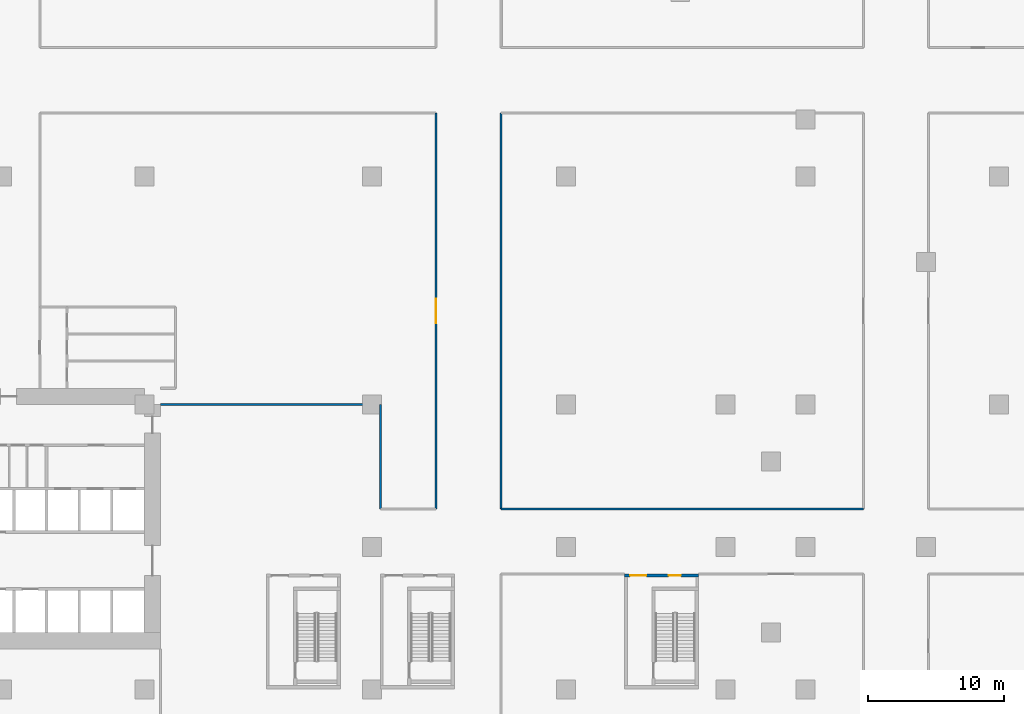
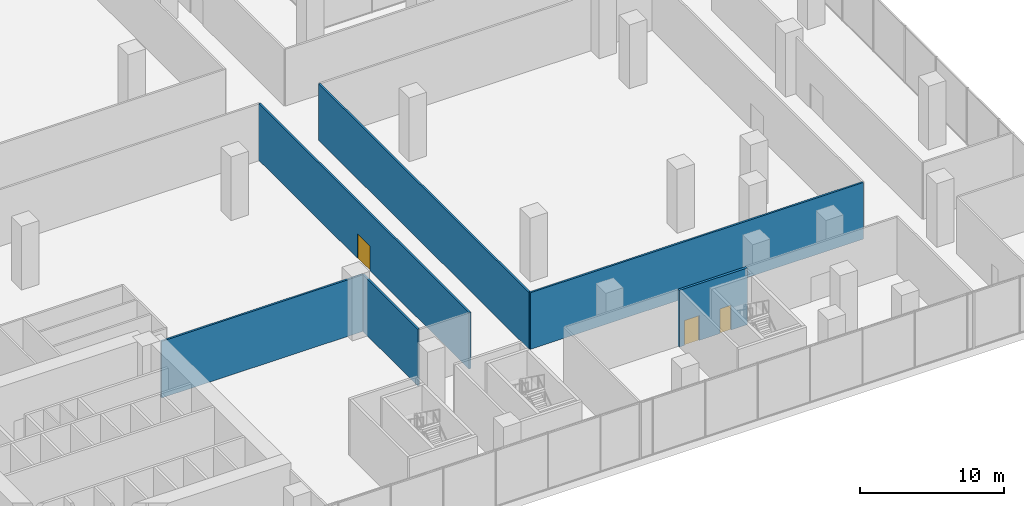
# One storey, part 14 of 22: 6 walls, 3 doors, 3 openings.
"""IFC4 building model written with IfcOpenShell, lengths in metres."""

from ifc_helpers import new_model, si_unit, direction, frame, frame_2d, origin, place, context, subcontext, project, spatial, rectangle, extrude, source, transform, mapped, material, layer, layer_set, type_object, element, fill, save


model = new_model("IFC4")

# Units and contexts
model_context = context("Model", 3, precision=1e-05, world=origin(), true_north=direction((0.0, 1.0)))
body_context = subcontext(model_context, "Body", "Model", "MODEL_VIEW")
ifc_project = project(units=[si_unit("LENGTHUNIT", "METRE"), si_unit("AREAUNIT", "SQUARE_METRE"), si_unit("VOLUMEUNIT", "CUBIC_METRE"), si_unit("PLANEANGLEUNIT", "RADIAN"), si_unit("MASSUNIT", "GRAM", prefix="KILO")], contexts=[model_context])

# Site, building, storey
site_placement = place(None, origin())
site = spatial("IfcSite", under=ifc_project, at=site_placement, CompositionType="ELEMENT")
building_placement = place(site_placement, origin())
building = spatial("IfcBuilding", under=site, at=building_placement, Name="Aurelian Terraces", CompositionType="ELEMENT")
storey_placement = place(building_placement, frame((0.0, 0.0, 7.5)))
storey = spatial("IfcBuildingStorey", under=building, at=storey_placement, Name="L01", CompositionType="ELEMENT", Elevation=7.5)

# Walls
ifc_material_1 = material(Name="Gypsum board on steel studs", Category="steel")
ifc_layer_1 = layer(ifc_material_1, 0.15)
ifc_layer_set_1 = layer_set([ifc_layer_1], Name="Special partition 150")
wall_type_1 = type_object("IfcWallType", Name="Special partition 150", PredefinedType="PARTITIONING", material=ifc_layer_set_1)
wall_1_placement = place(storey_placement, frame((47.3, 13.3, 0.0), z_axis=(0.0, 0.0, 1.0), x_axis=(1.0, 0.0, 0.0)))
element("IfcWall", 1, at=wall_1_placement, inside=storey, type_object=wall_type_1, Name="L01 partition W06", PredefinedType="PARTITIONING", context=body_context, shape_type="SweptSolid", body=[
    extrude(rectangle(XDim=26.7, YDim=0.15, at=frame_2d((13.35, 0.0))), origin(), (0.0, 0.0, 1.0), 4.8),
])
wall_2_placement = place(storey_placement, frame((22.2, 21.0, 0.0), z_axis=(0.0, 0.0, 1.0), x_axis=(1.0, 0.0, 0.0)))
element("IfcWall", 2, at=wall_2_placement, inside=storey, type_object=wall_type_1, Name="L01 partition W08", PredefinedType="PARTITIONING", context=body_context, shape_type="SweptSolid", body=[
    extrude(rectangle(XDim=16.2, YDim=0.15, at=frame_2d((8.1, 0.0))), origin(), (0.0, 0.0, 1.0), 4.8),
])
wall_3_placement = place(storey_placement, frame((38.4, 13.3, 0.0), z_axis=(0.0, 0.0, 1.0), x_axis=(0.0, 1.0, 0.0)))
element("IfcWall", 3, at=wall_3_placement, inside=storey, type_object=wall_type_1, Name="L01 partition W37", PredefinedType="PARTITIONING", context=body_context, shape_type="SweptSolid", body=[
    extrude(rectangle(XDim=7.7, YDim=0.15, at=frame_2d((3.85, 0.0))), origin(), (0.0, 0.0, 1.0), 4.8),
])

# Wall, openings, doors
ifc_layer_2 = layer(ifc_material_1, 0.2)
ifc_layer_set_2 = layer_set([ifc_layer_2], Name="Core partition 200")
wall_type_2 = type_object("IfcWallType", Name="Core partition 200", PredefinedType="PARTITIONING", material=ifc_layer_set_2)
shared_shape_1 = source(origin(), body_context, "Body", "SweptSolid", [
    extrude(rectangle(XDim=5.45, YDim=0.2, at=frame_2d((2.725, 0.0))), origin(), (0.0, 0.0, 1.0), 4.8),
])
wall_4_placement = place(storey_placement, frame((56.4, 8.4, 0.0), z_axis=(0.0, 0.0, 1.0), x_axis=(1.0, 0.0, 0.0)))
wall_4 = element("IfcWall", 4, at=wall_4_placement, inside=storey, type_object=wall_type_2, Name="L01 core wall ST-S6-BN", PredefinedType="PARTITIONING", context=body_context, shape_type="MappedRepresentation", body=[
    mapped(shared_shape_1, transform((0.0, 0.0, 0.0), scale=1.0)),
])
shared_shape_2 = source(origin(), body_context, "Body", "SweptSolid", [
    extrude(rectangle(XDim=1.2, YDim=2.1, at=frame_2d((0.6, 1.05))), frame((0.0, 0.11, 0.0), z_axis=(0.0, -1.0, 0.0), x_axis=(1.0, 0.0, 0.0)), (0.0, 0.0, 1.0), 0.22),
])
opening_1_placement = place(wall_4_placement, frame((0.4, 0.0, 0.0)))
opening_1 = element("IfcOpeningElement", 5, at=opening_1_placement, cuts=wall_4, Name="Opening 60428", PredefinedType="OPENING", context=body_context, shape_type="MappedRepresentation", body=[
    mapped(shared_shape_2, transform((0.0, 0.0, 0.0), scale=1.0)),
])
shared_shape_3 = source(origin(), body_context, "Body", "SweptSolid", [
    extrude(rectangle(XDim=0.9, YDim=2.1, at=frame_2d((0.45, 1.05))), frame((0.0, 0.11, 0.0), z_axis=(0.0, -1.0, 0.0), x_axis=(1.0, 0.0, 0.0)), (0.0, 0.0, 1.0), 0.22),
])
opening_2_placement = place(wall_4_placement, frame((3.25, 0.0, 0.0)))
opening_2 = element("IfcOpeningElement", 6, at=opening_2_placement, cuts=wall_4, Name="Opening 60429", PredefinedType="OPENING", context=body_context, shape_type="MappedRepresentation", body=[
    mapped(shared_shape_3, transform((0.0, 0.0, 0.0), scale=1.0)),
])
ifc_material_2 = material(Name="Steel door leaf", Category="steel")
door_type_1 = type_object("IfcDoorType", Name="Core riser door 900x2100 right", OperationType="SINGLE_SWING_RIGHT", PredefinedType="DOOR", material=ifc_material_2)
shared_shape_4 = source(origin(), body_context, "Body", "SweptSolid", [
    extrude(rectangle(XDim=0.9, YDim=2.1, at=frame_2d((0.45, 1.05))), frame((0.0, 0.025, 0.0), z_axis=(0.0, -1.0, 0.0), x_axis=(1.0, 0.0, 0.0)), (0.0, 0.0, 1.0), 0.05),
])
door_1_placement = place(opening_2_placement, origin())
door_1 = element("IfcDoor", 7, at=door_1_placement, inside=storey, type_object=door_type_1, Name="Riser door 60429", OperationType="SINGLE_SWING_RIGHT", OverallHeight=2.1, OverallWidth=0.9, PredefinedType="DOOR", context=body_context, shape_type="MappedRepresentation", body=[
    mapped(shared_shape_4, transform((0.0, 0.0, 0.0), scale=1.0)),
])
fill(opening_2, door_1)
door_type_2 = type_object("IfcDoorType", Name="Core fire door 1200x2100", OperationType="SINGLE_SWING_LEFT", PredefinedType="DOOR", material=ifc_material_2)
shared_shape_5 = source(origin(), body_context, "Body", "SweptSolid", [
    extrude(rectangle(XDim=1.2, YDim=2.1, at=frame_2d((0.6, 1.05))), frame((0.0, 0.025, 0.0), z_axis=(0.0, -1.0, 0.0), x_axis=(1.0, 0.0, 0.0)), (0.0, 0.0, 1.0), 0.05),
])
door_2_placement = place(opening_1_placement, origin())
door_2 = element("IfcDoor", 8, at=door_2_placement, inside=storey, type_object=door_type_2, Name="Vestibule door 60428", OperationType="SINGLE_SWING_LEFT", OverallHeight=2.1, OverallWidth=1.2, PredefinedType="DOOR", context=body_context, shape_type="MappedRepresentation", body=[
    mapped(shared_shape_5, transform((0.0, 0.0, 0.0), scale=1.0)),
])
fill(opening_1, door_2)

# Wall, opening, door
shared_shape_6 = source(origin(), body_context, "Body", "SweptSolid", [
    extrude(rectangle(XDim=29.2, YDim=0.15, at=frame_2d((14.6, 0.0))), origin(), (0.0, 0.0, 1.0), 4.8),
])
wall_5_placement = place(storey_placement, frame((42.5, 13.3, 0.0), z_axis=(0.0, 0.0, 1.0), x_axis=(0.0, 1.0, 0.0)))
wall_5 = element("IfcWall", 9, at=wall_5_placement, inside=storey, type_object=wall_type_1, Name="L01 partition W38", PredefinedType="PARTITIONING", context=body_context, shape_type="MappedRepresentation", body=[
    mapped(shared_shape_6, transform((0.0, 0.0, 0.0), scale=1.0)),
])
shared_shape_7 = source(origin(), body_context, "Body", "SweptSolid", [
    extrude(rectangle(XDim=1.8, YDim=2.1, at=frame_2d((0.9, 1.05))), frame((0.0, 0.085, 0.0), z_axis=(0.0, -1.0, 0.0), x_axis=(1.0, 0.0, 0.0)), (0.0, 0.0, 1.0), 0.17),
])
opening_3_placement = place(wall_5_placement, frame((13.7, 0.0, 0.0)))
opening_3 = element("IfcOpeningElement", 10, at=opening_3_placement, cuts=wall_5, Name="Opening 70413", PredefinedType="OPENING", context=body_context, shape_type="MappedRepresentation", body=[
    mapped(shared_shape_7, transform((0.0, 0.0, 0.0), scale=1.0)),
])
ifc_material_3 = material(Name="Timber door leaf", Category="wood")
door_type_3 = type_object("IfcDoorType", Name="Special double door 1800x2100", OperationType="DOUBLE_DOOR_SINGLE_SWING", PredefinedType="DOOR", material=ifc_material_3)
shared_shape_8 = source(origin(), body_context, "Body", "SweptSolid", [
    extrude(rectangle(XDim=1.8, YDim=2.1, at=frame_2d((0.9, 1.05))), frame((0.0, 0.025, 0.0), z_axis=(0.0, -1.0, 0.0), x_axis=(1.0, 0.0, 0.0)), (0.0, 0.0, 1.0), 0.05),
])
door_3_placement = place(opening_3_placement, origin())
door_3 = element("IfcDoor", 11, at=door_3_placement, inside=storey, type_object=door_type_3, Name="Door 70413", OperationType="DOUBLE_DOOR_SINGLE_SWING", OverallHeight=2.1, OverallWidth=1.8, PredefinedType="DOOR", context=body_context, shape_type="MappedRepresentation", body=[
    mapped(shared_shape_8, transform((0.0, 0.0, 0.0), scale=1.0)),
])
fill(opening_3, door_3)

# Wall
wall_6_placement = place(storey_placement, frame((47.3, 13.3, 0.0), z_axis=(0.0, 0.0, 1.0), x_axis=(0.0, 1.0, 0.0)))
element("IfcWall", 12, at=wall_6_placement, inside=storey, type_object=wall_type_1, Name="L01 partition W42", PredefinedType="PARTITIONING", context=body_context, shape_type="MappedRepresentation", body=[
    mapped(shared_shape_6, transform((0.0, 0.0, 0.0), scale=1.0)),
])

save(model, "model.ifc")
